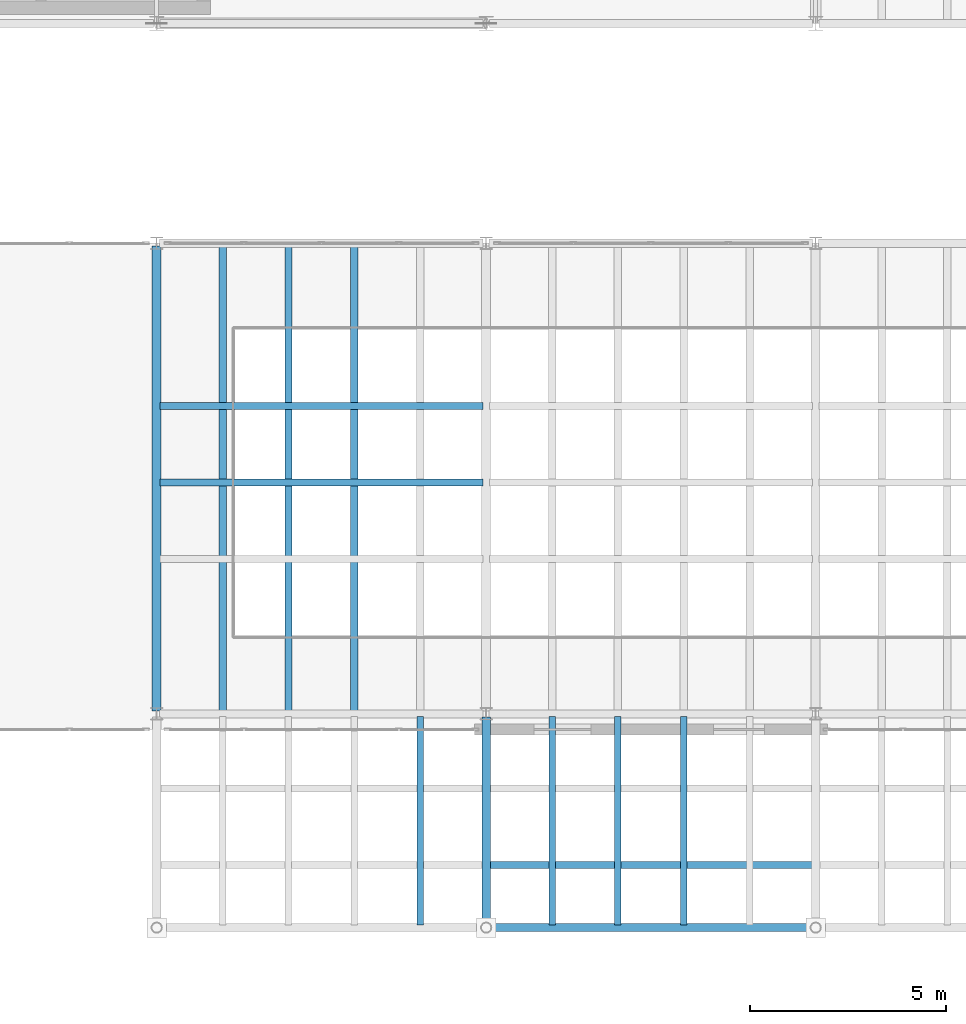
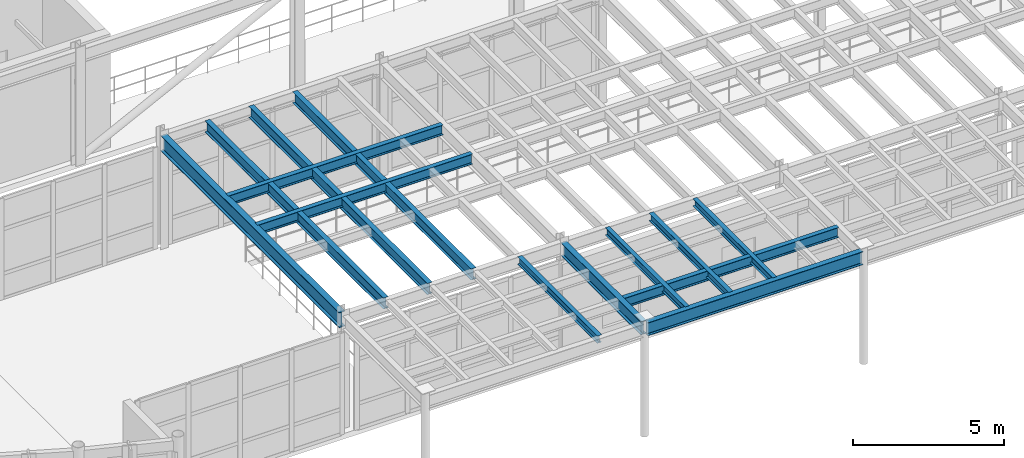
# One storey, part 25 of 105: 13 beams.
"""IFC4 building model written with IfcOpenShell, lengths in metres."""

from ifc_helpers import new_model, si_unit, direction, frame, origin, origin_2d, place, context, subcontext, project, spatial, i_section, extrude, material, material_profile, profile_set, type_object, element, save


model = new_model("IFC4")

# Units and contexts
model_context = context("Model", 3, precision=1e-05, world=origin(), true_north=direction((0.0, 1.0)))
body_context = subcontext(model_context, "Body", "Model", "MODEL_VIEW")
ifc_project = project(units=[si_unit("LENGTHUNIT", "METRE"), si_unit("AREAUNIT", "SQUARE_METRE"), si_unit("VOLUMEUNIT", "CUBIC_METRE"), si_unit("PLANEANGLEUNIT", "RADIAN"), si_unit("MASSUNIT", "GRAM", prefix="KILO")], contexts=[model_context])

# Site, building, storey
site_placement = place(None, origin())
site = spatial("IfcSite", under=ifc_project, at=site_placement, CompositionType="ELEMENT")
building_placement = place(site_placement, origin())
building = spatial("IfcBuilding", under=site, at=building_placement, Name="Selat Folded Stagehouse", CompositionType="ELEMENT")
storey_placement = place(building_placement, frame((0.0, 0.0, 10.199951171875)))
storey = spatial("IfcBuildingStorey", under=building, at=storey_placement, Name="L02", CompositionType="ELEMENT", Elevation=10.199951171875)

# Beams
ifc_material = material(Name="Steel S355", Category="steel")
ifc_material_profile_1 = material_profile(ifc_material, i_section(OverallWidth=0.210693359375, OverallDepth=0.53955078125, WebThickness=0.01171875, FlangeThickness=0.018798828125, FilletRadius=0.0126953125, at=origin_2d()), Name="UKB 533x210x109")
ifc_profile_set_1 = profile_set([ifc_material_profile_1], Name="Steel S355")
beam_type_1 = type_object("IfcBeamType", Name="BM-GIRD-533x210x109", PredefinedType="BEAM", material=ifc_profile_set_1)
beam_1_placement = place(storey_placement, frame((50.39990234375, 0.418212890625, 4.305419921875), z_axis=(0.0, 1.0, 0.0), x_axis=(-1.0, 0.0, 0.0)))
element("IfcBeam", 1, at=beam_1_placement, inside=storey, type_object=beam_type_1, Name="L02 primary y-girder 1050", PredefinedType="BEAM", context=body_context, shape_type="SweptSolid", body=[
    extrude(i_section(OverallWidth=0.210693359375, OverallDepth=0.53955078125, WebThickness=0.01171875, FlangeThickness=0.018798828125, FilletRadius=0.0126953125, at=origin_2d()), origin(), (0.0, 0.0, 1.0), 5.3046875),
])
ifc_material_profile_2 = material_profile(ifc_material, i_section(OverallWidth=0.209228515625, OverallDepth=0.533203125, WebThickness=0.010009765625, FlangeThickness=0.015625, FilletRadius=0.0126953125, at=origin_2d()), Name="UKB 533x210x92")
ifc_profile_set_2 = profile_set([ifc_material_profile_2], Name="Steel S355")
beam_type_2 = type_object("IfcBeamType", Name="BM-GIRD-533x210x92", PredefinedType="BEAM", material=ifc_profile_set_2)
beam_2_placement = place(storey_placement, frame((50.46826171875, 0.35009765625, 4.308349609375), z_axis=(1.0, 0.0, 0.0), x_axis=(0.0, 1.0, 0.0)))
element("IfcBeam", 2, at=beam_2_placement, inside=storey, type_object=beam_type_2, Name="L02 primary x-girder 0983", PredefinedType="BEAM", context=body_context, shape_type="SweptSolid", body=[
    extrude(i_section(OverallWidth=0.209228515625, OverallDepth=0.533203125, WebThickness=0.010009765625, FlangeThickness=0.015625, FilletRadius=0.0126953125, at=origin_2d()), origin(), (0.0, 0.0, 1.0), 8.263427734375),
])
ifc_material_profile_3 = material_profile(ifc_material, i_section(OverallWidth=0.230224609375, OverallDepth=0.6171875, WebThickness=0.01318359375, FlangeThickness=0.022216796875, FilletRadius=0.0126953125, at=origin_2d()), Name="UKB 610x229x140")
ifc_profile_set_3 = profile_set([ifc_material_profile_3], Name="Steel S355")
beam_type_3 = type_object("IfcBeamType", Name="BM-GIRD-610x229x140", PredefinedType="BEAM", material=ifc_profile_set_3)
beam_3_placement = place(storey_placement, frame((42.0, 5.876953125, 4.266357421875), z_axis=(0.0, 1.0, 0.0), x_axis=(-1.0, 0.0, 0.0)))
element("IfcBeam", 3, at=beam_3_placement, inside=storey, type_object=beam_type_3, Name="L02 primary y-girder 1047", PredefinedType="BEAM", context=body_context, shape_type="SweptSolid", body=[
    extrude(i_section(OverallWidth=0.230224609375, OverallDepth=0.6171875, WebThickness=0.01318359375, FlangeThickness=0.022216796875, FilletRadius=0.0126953125, at=origin_2d()), origin(), (0.0, 0.0, 1.0), 11.845947265625),
])
ifc_material_profile_4 = material_profile(ifc_material, i_section(OverallWidth=0.1650390625, OverallDepth=0.303466796875, WebThickness=0.006103515625, FlangeThickness=0.01025390625, FilletRadius=0.0087890625, at=origin_2d()), Name="UKB 305x165x40")
ifc_profile_set_4 = profile_set([ifc_material_profile_4], Name="Steel S355")
beam_type_4 = type_object("IfcBeamType", Name="JST-305x165x40", PredefinedType="JOIST", material=ifc_profile_set_4)
for number, where, z_axis, x_axis, name in (
    (4, (48.719970703125, 0.42333984375, 4.42333984375), (0.0, 1.0, 0.0), (-1.0, 0.0, 0.0), "L02 secondary floor joist 1121"),
    (5, (52.080078125, 0.42333984375, 4.42333984375), (0.0, 1.0, 0.0), (-1.0, 0.0, 0.0), "L02 secondary floor joist 1124"),
    (6, (53.760009765625, 0.42333984375, 4.42333984375), (0.0, 1.0, 0.0), (-1.0, 0.0, 0.0), "L02 secondary floor joist 1126"),
    (7, (55.43994140625, 0.42333984375, 4.42333984375), (0.0, 1.0, 0.0), (-1.0, 0.0, 0.0), "L02 secondary floor joist 1128"),
):
    element("IfcBeam", number, at=place(storey_placement, frame(where, z_axis=z_axis, x_axis=x_axis)), inside=storey, type_object=beam_type_4, Name=name, PredefinedType="JOIST", context=body_context, shape_type="SweptSolid", body=[
        extrude(i_section(OverallWidth=0.1650390625, OverallDepth=0.303466796875, WebThickness=0.006103515625, FlangeThickness=0.01025390625, FilletRadius=0.0087890625, at=origin_2d()), origin(), (0.0, 0.0, 1.0), 5.303466796875),
    ])
ifc_material_profile_5 = material_profile(ifc_material, i_section(OverallWidth=0.177978515625, OverallDepth=0.406494140625, WebThickness=0.0078125, FlangeThickness=0.0126953125, FilletRadius=0.01025390625, at=origin_2d()), Name="UKB 406x178x60")
ifc_profile_set_5 = profile_set([ifc_material_profile_5], Name="Steel S355")
beam_type_5 = type_object("IfcBeamType", Name="JST-406x178x60", PredefinedType="JOIST", material=ifc_profile_set_5)
beam_4_placement = place(storey_placement, frame((50.473876953125, 1.949951171875, 4.371826171875), z_axis=(1.0, 0.0, 0.0), x_axis=(0.0, 1.0, 0.0)))
element("IfcBeam", 8, at=beam_4_placement, inside=storey, type_object=beam_type_5, Name="L02 secondary x-joist 1200", PredefinedType="JOIST", context=body_context, shape_type="SweptSolid", body=[
    extrude(i_section(OverallWidth=0.177978515625, OverallDepth=0.406494140625, WebThickness=0.0078125, FlangeThickness=0.0126953125, FilletRadius=0.01025390625, at=origin_2d()), origin(), (0.0, 0.0, 1.0), 8.25244140625),
])
for number, where, z_axis, x_axis, name in (
    (9, (42.08056640625, 11.699951171875, 4.371826171875), (1.0, 0.0, 0.0), (0.0, 1.0, 0.0), "L02 secondary x-joist 1227"),
    (10, (42.08056640625, 13.64990234375, 4.371826171875), (1.0, 0.0, 0.0), (0.0, 1.0, 0.0), "L02 secondary x-joist 1235"),
):
    element("IfcBeam", number, at=place(storey_placement, frame(where, z_axis=z_axis, x_axis=x_axis)), inside=storey, type_object=beam_type_5, Name=name, PredefinedType="JOIST", context=body_context, shape_type="SweptSolid", body=[
        extrude(i_section(OverallWidth=0.177978515625, OverallDepth=0.406494140625, WebThickness=0.0078125, FlangeThickness=0.0126953125, FilletRadius=0.01025390625, at=origin_2d()), origin(), (0.0, 0.0, 1.0), 8.23876953125),
    ])
ifc_material_profile_6 = material_profile(ifc_material, i_section(OverallWidth=0.18994140625, OverallDepth=0.453369140625, WebThickness=0.008544921875, FlangeThickness=0.0126953125, FilletRadius=0.01025390625, at=origin_2d()), Name="UKB 457x191x67")
ifc_profile_set_6 = profile_set([ifc_material_profile_6], Name="Steel S355")
beam_type_6 = type_object("IfcBeamType", Name="JST-457x191x67", PredefinedType="JOIST", material=ifc_profile_set_6)
for number, where, z_axis, x_axis, name in (
    (11, (43.679931640625, 5.873291015625, 4.348388671875), (0.0, 1.0, 0.0), (-1.0, 0.0, 0.0), "L02 secondary floor joist 1113"),
    (12, (45.360107421875, 5.873291015625, 4.348388671875), (0.0, 1.0, 0.0), (-1.0, 0.0, 0.0), "L02 secondary floor joist 1116"),
    (13, (47.0400390625, 5.873291015625, 4.348388671875), (0.0, 1.0, 0.0), (-1.0, 0.0, 0.0), "L02 secondary floor joist 1119"),
):
    element("IfcBeam", number, at=place(storey_placement, frame(where, z_axis=z_axis, x_axis=x_axis)), inside=storey, type_object=beam_type_6, Name=name, PredefinedType="JOIST", context=body_context, shape_type="SweptSolid", body=[
        extrude(i_section(OverallWidth=0.18994140625, OverallDepth=0.453369140625, WebThickness=0.008544921875, FlangeThickness=0.0126953125, FilletRadius=0.01025390625, at=origin_2d()), origin(), (0.0, 0.0, 1.0), 11.853515625),
    ])

save(model, "model.ifc")
